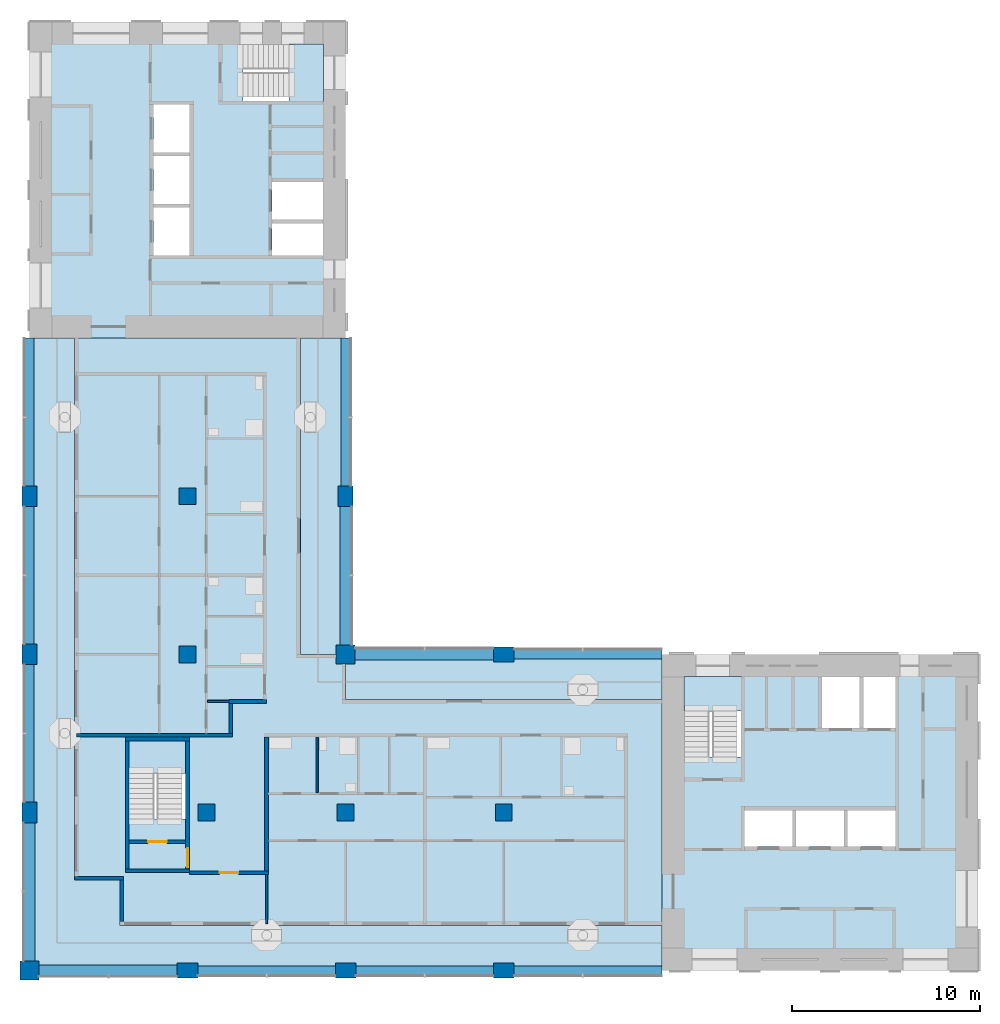
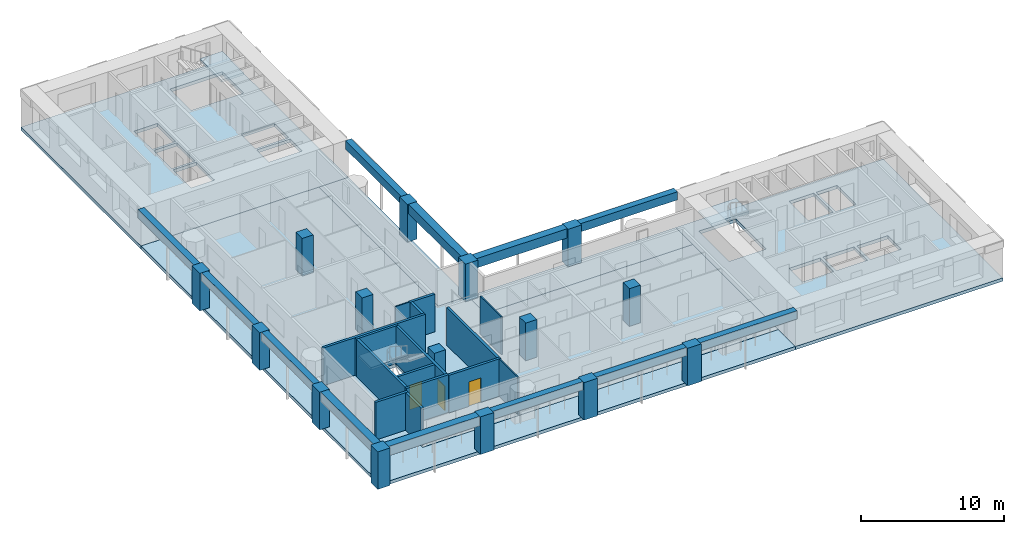
# One storey, part 1 of 12: 15 columns, 15 walls, 12 beams, 10 slabs, 3 doors, 3 openings, 3 elements without a shape of their own.
"""IFC4 building model written with IfcOpenShell, lengths in metres."""

from ifc_helpers import new_model, si_unit, direction, frame, frame_2d, origin, origin_2d, place, context, subcontext, project, spatial, polyline, rectangle, outline, extrude, material, layer, layer_set, material_profile, profile_set, type_object, element, fill, aggregate, save


model = new_model("IFC4")

# Units and contexts
model_context = context("Model", 3, precision=1e-05, world=origin(), true_north=direction((0.0, 1.0)))
body_context = subcontext(model_context, "Body", "Model", "MODEL_VIEW")
ifc_project = project(units=[si_unit("LENGTHUNIT", "METRE"), si_unit("AREAUNIT", "SQUARE_METRE"), si_unit("VOLUMEUNIT", "CUBIC_METRE"), si_unit("PLANEANGLEUNIT", "RADIAN"), si_unit("MASSUNIT", "GRAM", prefix="KILO")], contexts=[model_context])

# Site, building, storey
site_placement = place(None, origin())
site = spatial("IfcSite", under=ifc_project, at=site_placement, CompositionType="ELEMENT")
building_placement = place(site_placement, origin())
building = spatial("IfcBuilding", under=site, at=building_placement, Name="Vermilion Gate Residences", CompositionType="ELEMENT")
storey_placement = place(building_placement, frame((0.0, 0.0, 217.699951171875)))
storey = spatial("IfcBuildingStorey", under=building, at=storey_placement, Name="L56", CompositionType="ELEMENT", Elevation=217.699951171875)

# Columns
ifc_material_1 = material(Name="Concrete C50", Category="concrete")
ifc_material_profile_1 = material_profile(ifc_material_1, rectangle(XDim=1.0, YDim=1.0, at=origin_2d()), Name="RC-1000x1000")
ifc_profile_set_1 = profile_set([ifc_material_profile_1], Name="Concrete C50")
column_type_1 = type_object("IfcColumnType", Name="RC COLUMN 1000 X 1000 C50", PredefinedType="COLUMN", material=ifc_profile_set_1)
for number, where, z_axis, x_axis, name in (
    (1, (8.39990234375, 8.39990234375, 0.0), (0.0, 0.0, 1.0), (1.0, 0.0, 0.0), "Column 2-B L56"),
    (2, (25.199951171875, 25.199951171875, 0.0), (0.0, 0.0, 1.0), (1.0, 0.0, 0.0), "Column 4-D L56"),
):
    element("IfcColumn", number, at=place(storey_placement, frame(where, z_axis=z_axis, x_axis=x_axis)), inside=storey, type_object=column_type_1, Name=name, PredefinedType="COLUMN", context=body_context, shape_type="SweptSolid", body=[
        extrude(rectangle(XDim=1.0, YDim=1.0, at=origin_2d()), origin(), (0.0, 0.0, 1.0), 3.219970703125),
    ])
ifc_material_2 = material(Name="Concrete C50", Category="concrete")
ifc_material_profile_2 = material_profile(ifc_material_2, rectangle(XDim=1.10009765625, YDim=0.800048828125, at=origin_2d()), Name="RC-1100x800")
ifc_profile_set_2 = profile_set([ifc_material_profile_2], Name="Concrete C50")
column_type_2 = type_object("IfcColumnType", Name="RC COLUMN 1100 X 800 C50", PredefinedType="COLUMN", material=ifc_profile_set_2)
for number, where, z_axis, x_axis, name in (
    (3, (8.39990234375, 16.800048828125, 0.0), (0.0, 0.0, 1.0), (0.0, 1.0, 0.0), "Column 2-C L56"),
    (4, (8.39990234375, 25.199951171875, 0.0), (0.0, 0.0, 1.0), (0.0, 1.0, 0.0), "Column 2-D L56"),
    (5, (8.39990234375, 33.60009765625, 0.0), (0.0, 0.0, 1.0), (0.0, 1.0, 0.0), "Column 2-E L56"),
    (6, (16.800048828125, 8.39990234375, 0.0), (0.0, 0.0, 1.0), (1.0, 0.0, 0.0), "Column 3-B L56"),
    (7, (25.199951171875, 8.39990234375, 0.0), (0.0, 0.0, 1.0), (1.0, 0.0, 0.0), "Column 4-B L56"),
    (8, (25.199951171875, 33.60009765625, 0.0), (0.0, 0.0, 1.0), (0.0, 1.0, 0.0), "Column 4-E L56"),
    (9, (33.60009765625, 8.39990234375, 0.0), (0.0, 0.0, 1.0), (1.0, 0.0, 0.0), "Column 5-B L56"),
    (10, (33.60009765625, 25.199951171875, 0.0), (0.0, 0.0, 1.0), (1.0, 0.0, 0.0), "Column 5-D L56"),
):
    element("IfcColumn", number, at=place(storey_placement, frame(where, z_axis=z_axis, x_axis=x_axis)), inside=storey, type_object=column_type_2, Name=name, PredefinedType="COLUMN", context=body_context, shape_type="SweptSolid", body=[
        extrude(rectangle(XDim=1.10009765625, YDim=0.800048828125, at=origin_2d()), origin(), (0.0, 0.0, 1.0), 3.219970703125),
    ])
ifc_material_3 = material(Name="Concrete C50", Category="concrete")
ifc_material_profile_3 = material_profile(ifc_material_3, rectangle(XDim=0.89990234375, YDim=0.89990234375, at=origin_2d()), Name="RC-900x900")
ifc_profile_set_3 = profile_set([ifc_material_profile_3], Name="Concrete C50")
column_type_3 = type_object("IfcColumnType", Name="RC COLUMN 900 X 900 C50", PredefinedType="COLUMN", material=ifc_profile_set_3)
for number, where, z_axis, x_axis, name in (
    (11, (17.800048828125, 16.800048828125, 0.0), (0.0, 0.0, 1.0), (1.0, 0.0, 0.0), "Column 3-C L56"),
    (12, (16.800048828125, 25.199951171875, 0.0), (0.0, 0.0, 1.0), (1.0, 0.0, 0.0), "Column 3-D L56"),
    (13, (16.800048828125, 33.60009765625, 0.0), (0.0, 0.0, 1.0), (1.0, 0.0, 0.0), "Column 3-E L56"),
    (14, (25.199951171875, 16.800048828125, 0.0), (0.0, 0.0, 1.0), (1.0, 0.0, 0.0), "Column 4-C L56"),
    (15, (33.60009765625, 16.800048828125, 0.0), (0.0, 0.0, 1.0), (1.0, 0.0, 0.0), "Column 5-C L56"),
):
    element("IfcColumn", number, at=place(storey_placement, frame(where, z_axis=z_axis, x_axis=x_axis)), inside=storey, type_object=column_type_3, Name=name, PredefinedType="COLUMN", context=body_context, shape_type="SweptSolid", body=[
        extrude(rectangle(XDim=0.89990234375, YDim=0.89990234375, at=origin_2d()), origin(), (0.0, 0.0, 1.0), 3.219970703125),
    ])

# Beams
ifc_material_4 = material(Name="Concrete C60 red-oxide pigmented", Category="concrete")
ifc_material_profile_4 = material_profile(ifc_material_4, rectangle(XDim=0.60009765625, YDim=0.800048828125, at=origin_2d()), Name="RC-600x800")
ifc_profile_set_4 = profile_set([ifc_material_profile_4], Name="Concrete C60 red-oxide pigmented")
beam_type_1 = type_object("IfcBeamType", Name="RC CORNER EDGE BEAM 600 X 800 C60", PredefinedType="BEAM", material=ifc_profile_set_4)
for number, where, z_axis, x_axis, name in (
    (16, (8.89990234375, 8.39990234375, 2.820068359375), (1.0, 0.0, 0.0), (0.0, 1.0, 0.0), "Corner edge beam L56 1"),
    (17, (8.39990234375, 8.89990234375, 2.820068359375), (0.0, 1.0, 0.0), (-1.0, 0.0, 0.0), "Corner edge beam L56 2"),
    (18, (25.199951171875, 25.699951171875, 2.820068359375), (0.0, 1.0, 0.0), (-1.0, 0.0, 0.0), "Corner edge beam L56 7"),
    (19, (25.699951171875, 25.199951171875, 2.820068359375), (1.0, 0.0, 0.0), (0.0, 1.0, 0.0), "Corner edge beam L56 10"),
):
    element("IfcBeam", number, at=place(storey_placement, frame(where, z_axis=z_axis, x_axis=x_axis)), inside=storey, type_object=beam_type_1, Name=name, PredefinedType="BEAM", context=body_context, shape_type="SweptSolid", body=[
        extrude(rectangle(XDim=0.60009765625, YDim=0.800048828125, at=origin_2d()), origin(), (0.0, 0.0, 1.0), 7.35009765625),
    ])
ifc_material_5 = material(Name="Concrete C60 red-oxide pigmented", Category="concrete")
ifc_material_profile_5 = material_profile(ifc_material_5, rectangle(XDim=0.5, YDim=0.699951171875, at=origin_2d()), Name="RC-500x700")
ifc_profile_set_5 = profile_set([ifc_material_profile_5], Name="Concrete C60 red-oxide pigmented")
beam_type_2 = type_object("IfcBeamType", Name="RC EDGE BEAM 500 X 700 C60", PredefinedType="BEAM", material=ifc_profile_set_5)
beam_1_placement = place(storey_placement, frame((8.39990234375, 17.35009765625, 2.8701171875), z_axis=(0.0, 1.0, 0.0), x_axis=(-1.0, 0.0, 0.0)))
element("IfcBeam", 20, at=beam_1_placement, inside=storey, type_object=beam_type_2, Name="Edge beam L56 3", PredefinedType="BEAM", context=body_context, shape_type="SweptSolid", body=[
    extrude(rectangle(XDim=0.5, YDim=0.699951171875, at=origin_2d()), origin(), (0.0, 0.0, 1.0), 7.2998046875),
])
beam_2_placement = place(storey_placement, frame((8.39990234375, 25.75, 2.8701171875), z_axis=(0.0, 1.0, 0.0), x_axis=(-1.0, 0.0, 0.0)))
element("IfcBeam", 21, at=beam_2_placement, inside=storey, type_object=beam_type_2, Name="Edge beam L56 4", PredefinedType="BEAM", context=body_context, shape_type="SweptSolid", body=[
    extrude(rectangle(XDim=0.5, YDim=0.699951171875, at=origin_2d()), origin(), (0.0, 0.0, 1.0), 7.300048828125),
])
beam_3_placement = place(storey_placement, frame((8.39990234375, 34.14990234375, 2.8701171875), z_axis=(0.0, 1.0, 0.0), x_axis=(-1.0, 0.0, 0.0)))
element("IfcBeam", 22, at=beam_3_placement, inside=storey, type_object=beam_type_2, Name="Edge beam L56 5", PredefinedType="BEAM", context=body_context, shape_type="SweptSolid", body=[
    extrude(rectangle(XDim=0.5, YDim=0.699951171875, at=origin_2d()), origin(), (0.0, 0.0, 1.0), 7.85009765625),
])
beam_4_placement = place(storey_placement, frame((17.35009765625, 8.39990234375, 2.8701171875), z_axis=(1.0, 0.0, 0.0), x_axis=(0.0, 1.0, 0.0)))
element("IfcBeam", 23, at=beam_4_placement, inside=storey, type_object=beam_type_2, Name="Edge beam L56 6", PredefinedType="BEAM", context=body_context, shape_type="SweptSolid", body=[
    extrude(rectangle(XDim=0.5, YDim=0.699951171875, at=origin_2d()), origin(), (0.0, 0.0, 1.0), 7.2998046875),
])
beam_5_placement = place(storey_placement, frame((25.199951171875, 34.14990234375, 2.8701171875), z_axis=(0.0, 1.0, 0.0), x_axis=(-1.0, 0.0, 0.0)))
element("IfcBeam", 24, at=beam_5_placement, inside=storey, type_object=beam_type_2, Name="Edge beam L56 8", PredefinedType="BEAM", context=body_context, shape_type="SweptSolid", body=[
    extrude(rectangle(XDim=0.5, YDim=0.699951171875, at=origin_2d()), origin(), (0.0, 0.0, 1.0), 7.85009765625),
])
beam_6_placement = place(storey_placement, frame((25.75, 8.39990234375, 2.8701171875), z_axis=(1.0, 0.0, 0.0), x_axis=(0.0, 1.0, 0.0)))
element("IfcBeam", 25, at=beam_6_placement, inside=storey, type_object=beam_type_2, Name="Edge beam L56 9", PredefinedType="BEAM", context=body_context, shape_type="SweptSolid", body=[
    extrude(rectangle(XDim=0.5, YDim=0.699951171875, at=origin_2d()), origin(), (0.0, 0.0, 1.0), 7.300048828125),
])
for number, where, z_axis, x_axis, name in (
    (26, (34.14990234375, 8.39990234375, 2.8701171875), (1.0, 0.0, 0.0), (0.0, 1.0, 0.0), "Edge beam L56 11"),
    (27, (34.14990234375, 25.199951171875, 2.8701171875), (1.0, 0.0, 0.0), (0.0, 1.0, 0.0), "Edge beam L56 12"),
):
    element("IfcBeam", number, at=place(storey_placement, frame(where, z_axis=z_axis, x_axis=x_axis)), inside=storey, type_object=beam_type_2, Name=name, PredefinedType="BEAM", context=body_context, shape_type="SweptSolid", body=[
        extrude(rectangle(XDim=0.5, YDim=0.699951171875, at=origin_2d()), origin(), (0.0, 0.0, 1.0), 7.85009765625),
    ])

# Slabs
ifc_material_6 = material(Name="Concrete C50", Category="concrete")
ifc_layer_1 = layer(ifc_material_6, 0.280029296875)
ifc_layer_set_1 = layer_set([ifc_layer_1], Name="RC CORE FLOOR SLAB 280 C50")
slab_type_1 = type_object("IfcSlabType", Name="RC CORE FLOOR SLAB 280 C50", PredefinedType="FLOOR", material=ifc_layer_set_1)
slab_1_placement = place(storey_placement, frame((0.0, 0.0, -0.280029296875)))
element("IfcSlab", 28, at=slab_1_placement, inside=storey, type_object=slab_type_1, Name="Core floor slab A56", PredefinedType="FLOOR", context=body_context, shape_type="SweptSolid", body=[
    extrude(outline(polyline([(42.0, 8.39990234375), (58.800048828125, 8.39990234375), (58.800048828125, 25.199951171875), (42.0, 25.199951171875), (42.0, 8.39990234375)]), holes=[polyline([(46.39990234375, 15.0), (46.39990234375, 16.89990234375), (48.933349609375, 16.89990234375), (48.933349609375, 15.0), (46.39990234375, 15.0)]), polyline([(49.13330078125, 16.89990234375), (51.666748046875, 16.89990234375), (51.666748046875, 15.0), (49.13330078125, 15.0), (49.13330078125, 16.89990234375)]), polyline([(51.86669921875, 16.89990234375), (54.39990234375, 16.89990234375), (54.39990234375, 15.0), (51.86669921875, 15.0), (51.86669921875, 16.89990234375)]), polyline([(43.199951171875, 19.75), (43.199951171875, 24.0), (46.199951171875, 24.0), (46.199951171875, 19.75), (43.199951171875, 19.75)]), polyline([(50.5, 24.0), (52.5, 24.0), (52.5, 21.300048828125), (50.5, 21.300048828125), (50.5, 24.0)]), polyline([(52.699951171875, 24.0), (54.39990234375, 24.0), (54.39990234375, 21.300048828125), (52.699951171875, 21.300048828125), (52.699951171875, 24.0)])]), origin(), (0.0, 0.0, 1.0), 0.280029296875),
])
slab_2_placement = place(storey_placement, frame((0.0, 0.0, -0.280029296875)))
element("IfcSlab", 29, at=slab_2_placement, inside=storey, type_object=slab_type_1, Name="Core floor slab B56", PredefinedType="FLOOR", context=body_context, shape_type="SweptSolid", body=[
    extrude(outline(polyline([(8.39990234375, 42.0), (25.199951171875, 42.0), (25.199951171875, 58.800048828125), (8.39990234375, 58.800048828125), (8.39990234375, 42.0)]), holes=[polyline([(21.300048828125, 46.39990234375), (21.300048828125, 48.10009765625), (24.0, 48.10009765625), (24.0, 46.39990234375), (21.300048828125, 46.39990234375)]), polyline([(15.0, 48.933349609375), (16.89990234375, 48.933349609375), (16.89990234375, 46.39990234375), (15.0, 46.39990234375), (15.0, 48.933349609375)]), polyline([(21.300048828125, 50.300048828125), (24.0, 50.300048828125), (24.0, 48.300048828125), (21.300048828125, 48.300048828125), (21.300048828125, 50.300048828125)]), polyline([(15.0, 49.13330078125), (15.0, 51.666748046875), (16.89990234375, 51.666748046875), (16.89990234375, 49.13330078125), (15.0, 49.13330078125)]), polyline([(15.0, 54.39990234375), (16.89990234375, 54.39990234375), (16.89990234375, 51.86669921875), (15.0, 51.86669921875), (15.0, 54.39990234375)]), polyline([(19.75, 57.60009765625), (24.0, 57.60009765625), (24.0, 54.60009765625), (19.75, 54.60009765625), (19.75, 57.60009765625)])]), origin(), (0.0, 0.0, 1.0), 0.280029296875),
])
slab_3_placement = place(storey_placement, frame((0.0, 0.0, -0.280029296875)))
element("IfcSlab", 30, at=slab_3_placement, inside=storey, type_object=slab_type_1, Name="Apex stair floor slab 56", PredefinedType="FLOOR", context=body_context, shape_type="SweptSolid", body=[
    extrude(outline(polyline([(13.5, 13.60009765625), (16.89990234375, 13.60009765625), (16.89990234375, 20.800048828125), (13.5, 20.800048828125), (13.5, 13.60009765625)]), holes=[polyline([(16.699951171875, 20.60009765625), (16.699951171875, 16.449951171875), (13.699951171875, 16.449951171875), (13.699951171875, 20.60009765625), (16.699951171875, 20.60009765625)])]), origin(), (0.0, 0.0, 1.0), 0.280029296875),
])
ifc_material_7 = material(Name="Concrete C50", Category="concrete")
ifc_layer_2 = layer(ifc_material_7, 0.280029296875)
ifc_layer_set_2 = layer_set([ifc_layer_2], Name="RC FLAT PLATE 280 C50")
slab_type_2 = type_object("IfcSlabType", Name="RC FLAT PLATE 280 C50", PredefinedType="FLOOR", material=ifc_layer_set_2)
slab_4_placement = place(storey_placement, frame((0.0, 0.0, -0.280029296875)))
element("IfcSlab", 31, at=slab_4_placement, inside=storey, type_object=slab_type_2, Name="Floor slab L56", PredefinedType="FLOOR", context=body_context, shape_type="SweptSolid", body=[
    extrude(outline(polyline([(22.800048828125, 25.199951171875), (22.800048828125, 42.0), (10.800048828125, 42.0), (10.800048828125, 13.199951171875), (13.199951171875, 13.199951171875), (13.199951171875, 10.800048828125), (42.0, 10.800048828125), (42.0, 22.800048828125), (25.199951171875, 22.800048828125), (25.199951171875, 25.199951171875), (22.800048828125, 25.199951171875)]), holes=[polyline([(13.5, 13.60009765625), (13.5, 20.800048828125), (16.89990234375, 20.800048828125), (16.89990234375, 13.60009765625), (13.5, 13.60009765625)])]), origin(), (0.0, 0.0, 1.0), 0.280029296875),
])
ifc_material_8 = material(Name="Concrete C50 red-oxide pigmented", Category="concrete")
ifc_layer_3 = layer(ifc_material_8, 0.280029296875)
ifc_layer_set_3 = layer_set([ifc_layer_3], Name="RC LOGGIA SLAB 280 C50")
slab_type_3 = type_object("IfcSlabType", Name="RC LOGGIA SLAB 280 C50", PredefinedType="FLOOR", material=ifc_layer_set_3)
slab_5_placement = place(storey_placement, frame((0.0, 0.0, -0.280029296875)))
element("IfcSlab", 32, at=slab_5_placement, inside=storey, type_object=slab_type_3, Name="Loggia slab L56", PredefinedType="FLOOR", context=body_context, shape_type="SweptSolid", body=[
    extrude(outline(polyline([(8.39990234375, 8.39990234375), (42.0, 8.39990234375), (42.0, 10.800048828125), (13.199951171875, 10.800048828125), (13.199951171875, 13.199951171875), (10.800048828125, 13.199951171875), (10.800048828125, 42.0), (8.39990234375, 42.0), (8.39990234375, 8.39990234375)])), origin(), (0.0, 0.0, 1.0), 0.280029296875),
])
slab_6_placement = place(storey_placement, frame((0.0, 0.0, -0.280029296875)))
element("IfcSlab", 33, at=slab_6_placement, inside=storey, type_object=slab_type_3, Name="Loggia slab L56", PredefinedType="FLOOR", context=body_context, shape_type="SweptSolid", body=[
    extrude(outline(polyline([(25.199951171875, 22.800048828125), (42.0, 22.800048828125), (42.0, 25.199951171875), (25.199951171875, 25.199951171875), (25.199951171875, 22.800048828125)])), origin(), (0.0, 0.0, 1.0), 0.280029296875),
])
slab_7_placement = place(storey_placement, frame((0.0, 0.0, -0.280029296875)))
element("IfcSlab", 34, at=slab_7_placement, inside=storey, type_object=slab_type_3, Name="Loggia slab L56", PredefinedType="FLOOR", context=body_context, shape_type="SweptSolid", body=[
    extrude(outline(polyline([(25.199951171875, 42.0), (22.800048828125, 42.0), (22.800048828125, 25.199951171875), (25.199951171875, 25.199951171875), (25.199951171875, 42.0)])), origin(), (0.0, 0.0, 1.0), 0.280029296875),
])

# Stair, slab
ifc_material_9 = material(Name="Concrete C50", Category="concrete")
stair_type = type_object("IfcStairType", Name="SPECIAL ESCAPE STAIR 1300", PredefinedType="HALF_TURN_STAIR", material=ifc_material_9)
stair_1_placement = place(storey_placement, origin())
stair_1 = element("IfcStair", 35, at=stair_1_placement, inside=storey, type_object=stair_type, Name="Special escape stair STA1-56", PredefinedType="HALF_TURN_STAIR")
ifc_material_10 = material(Name="Concrete C50", Category="concrete")
ifc_layer_4 = layer(ifc_material_10, 0.199951171875)
ifc_layer_set_4 = layer_set([ifc_layer_4], Name="STAIR LANDING 200 C50")
slab_type_4 = type_object("IfcSlabType", Name="STAIR LANDING 200 C50", PredefinedType="LANDING", material=ifc_layer_set_4)
slab_8_placement = place(storey_placement, frame((0.0, 0.0, 1.550048828125)))
slab_8 = element("IfcSlab", 36, at=slab_8_placement, type_object=slab_type_4, Name="STA1-56 landing 1", PredefinedType="LANDING", context=body_context, shape_type="SweptSolid", body=[
    extrude(outline(polyline([(46.219970703125, 22.179931640625), (46.219970703125, 24.02001953125), (43.179931640625, 24.02001953125), (43.179931640625, 22.179931640625), (46.219970703125, 22.179931640625)])), origin(), (0.0, 0.0, 1.0), 0.199951171875),
])
aggregate(stair_1, [slab_8])

stair_2_placement = place(storey_placement, origin())
stair_2 = element("IfcStair", 37, at=stair_2_placement, inside=storey, type_object=stair_type, Name="Special escape stair STB1-56", PredefinedType="HALF_TURN_STAIR")
slab_9_placement = place(storey_placement, frame((0.0, 0.0, 1.550048828125)))
slab_9 = element("IfcSlab", 38, at=slab_9_placement, type_object=slab_type_4, Name="STB1-56 landing 1", PredefinedType="LANDING", context=body_context, shape_type="SweptSolid", body=[
    extrude(outline(polyline([(24.02001953125, 54.580078125), (24.02001953125, 57.6201171875), (22.179931640625, 57.6201171875), (22.179931640625, 54.580078125), (24.02001953125, 54.580078125)])), origin(), (0.0, 0.0, 1.0), 0.199951171875),
])
aggregate(stair_2, [slab_9])

stair_3_placement = place(storey_placement, origin())
stair_3 = element("IfcStair", 39, at=stair_3_placement, inside=storey, type_object=stair_type, Name="Special escape stair STC1-56", PredefinedType="HALF_TURN_STAIR")
slab_10_placement = place(storey_placement, frame((0.0, 0.0, 1.550048828125)))
slab_10 = element("IfcSlab", 40, at=slab_10_placement, type_object=slab_type_4, Name="STC1-56 landing 1", PredefinedType="LANDING", context=body_context, shape_type="SweptSolid", body=[
    extrude(outline(polyline([(16.719970703125, 18.8798828125), (16.719970703125, 20.6201171875), (13.679931640625, 20.6201171875), (13.679931640625, 18.8798828125), (16.719970703125, 18.8798828125)])), origin(), (0.0, 0.0, 1.0), 0.199951171875),
])
aggregate(stair_3, [slab_10])

# Walls
ifc_material_11 = material(Name="Insulated steel stud wall with terracotta rainscreen", Category="masonry")
ifc_layer_5 = layer(ifc_material_11, 0.199951171875)
ifc_layer_set_5 = layer_set([ifc_layer_5], Name="EXTERNAL WALL 200 TERRACOTTA RAINSCREEN")
wall_type_1 = type_object("IfcWallType", Name="EXTERNAL WALL 200 TERRACOTTA RAINSCREEN", PredefinedType="SOLIDWALL", material=ifc_layer_set_5)
wall_1_placement = place(storey_placement, frame((10.800048828125, 13.300048828125, 0.0), z_axis=(0.0, 0.0, 1.0), x_axis=(1.0, 0.0, 0.0)))
element("IfcWall", 41, at=wall_1_placement, inside=storey, type_object=wall_type_1, Name="External wall", PredefinedType="SOLIDWALL", context=body_context, shape_type="SweptSolid", body=[
    extrude(rectangle(XDim=2.599853515625, YDim=0.199951171875, at=frame_2d((1.2998046875, 0.0))), origin(), (0.0, 0.0, 1.0), 3.219970703125),
])
wall_2_placement = place(storey_placement, frame((13.300048828125, 13.199951171875, 0.0), z_axis=(0.0, 0.0, 1.0), x_axis=(0.0, -1.0, 0.0)))
element("IfcWall", 42, at=wall_2_placement, inside=storey, type_object=wall_type_1, Name="External wall", PredefinedType="SOLIDWALL", context=body_context, shape_type="SweptSolid", body=[
    extrude(rectangle(XDim=2.199951171875, YDim=0.199951171875, at=frame_2d((1.10009765625, 0.0))), origin(), (0.0, 0.0, 1.0), 3.219970703125),
])
ifc_material_12 = material(Name="Plasterboard on steel studs", Category="steel")
ifc_layer_6 = layer(ifc_material_12, 0.10009765625)
ifc_layer_set_6 = layer_set([ifc_layer_6], Name="PARTITION 100")
wall_type_2 = type_object("IfcWallType", Name="PARTITION 100", PredefinedType="PARTITIONING", material=ifc_layer_set_6)
wall_3_placement = place(storey_placement, frame((17.85009765625, 22.699951171875, 0.0), z_axis=(0.0, 0.0, 1.0), x_axis=(1.0, 0.0, 0.0)))
element("IfcWall", 43, at=wall_3_placement, inside=storey, type_object=wall_type_2, Name="Partition", PredefinedType="PARTITIONING", context=body_context, shape_type="SweptSolid", body=[
    extrude(rectangle(XDim=1.14990234375, YDim=0.10009765625, at=frame_2d((0.574951171875, 0.0))), origin(), (0.0, 0.0, 1.0), 3.219970703125),
])
wall_4_placement = place(storey_placement, frame((21.0, 10.89990234375, 0.0), z_axis=(0.0, 0.0, 1.0), x_axis=(0.0, 1.0, 0.0)))
element("IfcWall", 44, at=wall_4_placement, inside=storey, type_object=wall_type_2, Name="Partition", PredefinedType="PARTITIONING", context=body_context, shape_type="SweptSolid", body=[
    extrude(rectangle(XDim=2.60009765625, YDim=0.10009765625, at=frame_2d((1.300048828125, 0.0))), origin(), (0.0, 0.0, 1.0), 3.219970703125),
])
wall_5_placement = place(storey_placement, frame((23.68408203125, 17.85009765625, 0.0), z_axis=(0.0, 0.0, 1.0), x_axis=(0.0, 1.0, 0.0)))
element("IfcWall", 45, at=wall_5_placement, inside=storey, type_object=wall_type_2, Name="Partition", PredefinedType="PARTITIONING", context=body_context, shape_type="SweptSolid", body=[
    extrude(rectangle(XDim=2.949951171875, YDim=0.10009765625, at=frame_2d((1.47509765625, 0.0))), origin(), (0.0, 0.0, 1.0), 3.219970703125),
])

# Wall, opening, door
ifc_material_13 = material(Name="Fire-rated plasterboard on steel studs", Category="steel")
ifc_layer_7 = layer(ifc_material_13, 0.199951171875)
ifc_layer_set_7 = layer_set([ifc_layer_7], Name="PARTY WALL 200 EI 120")
wall_type_3 = type_object("IfcWallType", Name="PARTY WALL 200 EI 120", PredefinedType="PARTITIONING", material=ifc_layer_set_7)
wall_6_placement = place(storey_placement, frame((16.89990234375, 13.60009765625, 0.0), z_axis=(0.0, 0.0, 1.0), x_axis=(1.0, 0.0, 0.0)))
wall_6 = element("IfcWall", 46, at=wall_6_placement, inside=storey, type_object=wall_type_3, Name="Party and corridor wall", PredefinedType="PARTITIONING", context=body_context, shape_type="SweptSolid", body=[
    extrude(rectangle(XDim=4.2001953125, YDim=0.199951171875, at=frame_2d((2.10009765625, 0.0))), origin(), (0.0, 0.0, 1.0), 3.219970703125),
])
opening_1_placement = place(wall_6_placement, frame((1.60009765625, 0.0, 0.0)))
opening_1 = element("IfcOpeningElement", 47, at=opening_1_placement, cuts=wall_6, Name="Opening DA55001", PredefinedType="OPENING", context=body_context, shape_type="SweptSolid", body=[
    extrude(rectangle(XDim=1.0, YDim=2.10009765625, at=frame_2d((0.5, 1.050048828125))), frame((0.0, 0.10986328125, 0.0), z_axis=(0.0, -1.0, 0.0), x_axis=(1.0, 0.0, 0.0)), (0.0, 0.0, 1.0), 0.219970703125),
])
ifc_material_14 = material(Name="Steel", Category="steel")
door_type_1 = type_object("IfcDoorType", Name="ENTRANCE DOOR 1000 X 2100 FD30", OperationType="SINGLE_SWING_LEFT", PredefinedType="DOOR", material=ifc_material_14)
door_1_placement = place(opening_1_placement, frame((1.0, 0.0, 0.0), z_axis=(0.0, 0.0, 1.0), x_axis=(-1.0, 0.0, 0.0)))
door_1 = element("IfcDoor", 48, at=door_1_placement, inside=storey, type_object=door_type_1, Name="Entrance door", OperationType="SINGLE_SWING_LEFT", OverallHeight=2.10009765625, OverallWidth=1.0, PredefinedType="DOOR", context=body_context, shape_type="SweptSolid", body=[
    extrude(rectangle(XDim=1.0, YDim=2.10009765625, at=frame_2d((0.5, 1.050048828125))), frame((0.0, 0.02490234375, 0.0), z_axis=(0.0, -1.0, 0.0), x_axis=(1.0, 0.0, 0.0)), (0.0, 0.0, 1.0), 0.050048828125),
])
fill(opening_1, door_1)

# Walls
wall_7_placement = place(storey_placement, frame((10.89990234375, 20.89990234375, 0.0), z_axis=(0.0, 0.0, 1.0), x_axis=(1.0, 0.0, 0.0)))
element("IfcWall", 49, at=wall_7_placement, inside=storey, type_object=wall_type_3, Name="Party and corridor wall", PredefinedType="PARTITIONING", context=body_context, shape_type="SweptSolid", body=[
    extrude(rectangle(XDim=8.300048828125, YDim=0.199951171875, at=frame_2d((4.14990234375, 0.0))), origin(), (0.0, 0.0, 1.0), 3.219970703125),
])
wall_8_placement = place(storey_placement, frame((19.0, 22.699951171875, 0.0), z_axis=(0.0, 0.0, 1.0), x_axis=(1.0, 0.0, 0.0)))
element("IfcWall", 50, at=wall_8_placement, inside=storey, type_object=wall_type_3, Name="Party and corridor wall", PredefinedType="PARTITIONING", context=body_context, shape_type="SweptSolid", body=[
    extrude(rectangle(XDim=2.0, YDim=0.199951171875, at=frame_2d((1.0, 0.0))), origin(), (0.0, 0.0, 1.0), 3.219970703125),
])
wall_9_placement = place(storey_placement, frame((19.10009765625, 21.0, 0.0), z_axis=(0.0, 0.0, 1.0), x_axis=(0.0, 1.0, 0.0)))
element("IfcWall", 51, at=wall_9_placement, inside=storey, type_object=wall_type_3, Name="Party and corridor wall", PredefinedType="PARTITIONING", context=body_context, shape_type="SweptSolid", body=[
    extrude(rectangle(XDim=1.60009765625, YDim=0.199951171875, at=frame_2d((0.800048828125, 0.0))), origin(), (0.0, 0.0, 1.0), 3.219970703125),
])
wall_10_placement = place(storey_placement, frame((21.0, 13.699951171875, 0.0), z_axis=(0.0, 0.0, 1.0), x_axis=(0.0, 1.0, 0.0)))
element("IfcWall", 52, at=wall_10_placement, inside=storey, type_object=wall_type_3, Name="Party and corridor wall", PredefinedType="PARTITIONING", context=body_context, shape_type="SweptSolid", body=[
    extrude(rectangle(XDim=7.10009765625, YDim=0.199951171875, at=frame_2d((3.550048828125, 0.0))), origin(), (0.0, 0.0, 1.0), 3.219970703125),
])
ifc_material_15 = material(Name="Concrete C60", Category="concrete")
ifc_layer_8 = layer(ifc_material_15, 0.199951171875)
ifc_layer_set_8 = layer_set([ifc_layer_8], Name="RC CORE INTERNAL WALL 200 C60")
wall_type_4 = type_object("IfcWallType", Name="RC CORE INTERNAL WALL 200 C60", PredefinedType="SHEAR", material=ifc_layer_set_8)
wall_11_placement = place(storey_placement, frame((13.60009765625, 13.800048828125, 0.0), z_axis=(0.0, 0.0, 1.0), x_axis=(0.0, 1.0, 0.0)))
element("IfcWall", 53, at=wall_11_placement, inside=storey, type_object=wall_type_4, Name="Core internal wall C56-W", PredefinedType="SHEAR", context=body_context, shape_type="SweptSolid", body=[
    extrude(rectangle(XDim=6.800048828125, YDim=0.199951171875, at=frame_2d((3.39990234375, 0.0))), origin(), (0.0, 0.0, 1.0), 3.219970703125),
])

# Wall, opening, door
wall_12_placement = place(storey_placement, frame((16.800048828125, 13.800048828125, 0.0), z_axis=(0.0, 0.0, 1.0), x_axis=(0.0, 1.0, 0.0)))
wall_12 = element("IfcWall", 54, at=wall_12_placement, inside=storey, type_object=wall_type_4, Name="Core internal wall C56-E", PredefinedType="SHEAR", context=body_context, shape_type="SweptSolid", body=[
    extrude(rectangle(XDim=6.800048828125, YDim=0.199951171875, at=frame_2d((3.39990234375, 0.0))), origin(), (0.0, 0.0, 1.0), 3.219970703125),
])
opening_2_placement = place(wall_12_placement, frame((0.10009765625, 0.0, 0.0)))
opening_2 = element("IfcOpeningElement", 55, at=opening_2_placement, cuts=wall_12, Name="Opening DK56201", PredefinedType="OPENING", context=body_context, shape_type="SweptSolid", body=[
    extrude(rectangle(XDim=1.0, YDim=2.10009765625, at=frame_2d((0.5, 1.050048828125))), frame((0.0, 0.10986328125, 0.0), z_axis=(0.0, -1.0, 0.0), x_axis=(1.0, 0.0, 0.0)), (0.0, 0.0, 1.0), 0.219970703125),
])
ifc_material_16 = material(Name="Steel", Category="steel")
door_type_2 = type_object("IfcDoorType", Name="FIRE DOOR FD60 1000 X 2100", OperationType="SINGLE_SWING_LEFT", PredefinedType="DOOR", material=ifc_material_16)
door_2_placement = place(opening_2_placement, frame((1.0, 0.0, 0.0), z_axis=(0.0, 0.0, 1.0), x_axis=(-1.0, 0.0, 0.0)))
door_2 = element("IfcDoor", 56, at=door_2_placement, inside=storey, type_object=door_type_2, Name="Stair vestibule door C56", OperationType="SINGLE_SWING_RIGHT", OverallHeight=2.10009765625, OverallWidth=1.0, PredefinedType="DOOR", context=body_context, shape_type="SweptSolid", body=[
    extrude(rectangle(XDim=1.0, YDim=2.10009765625, at=frame_2d((0.5, 1.050048828125))), frame((0.0, 0.02490234375, 0.0), z_axis=(0.0, -1.0, 0.0), x_axis=(1.0, 0.0, 0.0)), (0.0, 0.0, 1.0), 0.050048828125),
])
fill(opening_2, door_2)

# Walls
for number, where, z_axis, x_axis, name in (
    (57, (13.5, 13.699951171875, 0.0), (0.0, 0.0, 1.0), (1.0, 0.0, 0.0), "Core internal wall C56-S"),
    (58, (13.5, 20.699951171875, 0.0), (0.0, 0.0, 1.0), (1.0, 0.0, 0.0), "Core internal wall C56-N"),
):
    element("IfcWall", number, at=place(storey_placement, frame(where, z_axis=z_axis, x_axis=x_axis)), inside=storey, type_object=wall_type_4, Name=name, PredefinedType="SHEAR", context=body_context, shape_type="SweptSolid", body=[
        extrude(rectangle(XDim=3.39990234375, YDim=0.199951171875, at=frame_2d((1.699951171875, 0.0))), origin(), (0.0, 0.0, 1.0), 3.219970703125),
    ])

# Wall, opening, door
wall_13_placement = place(storey_placement, frame((13.699951171875, 15.25, 0.0), z_axis=(0.0, 0.0, 1.0), x_axis=(1.0, 0.0, 0.0)))
wall_13 = element("IfcWall", 59, at=wall_13_placement, inside=storey, type_object=wall_type_4, Name="Core internal wall C56-P", PredefinedType="SHEAR", context=body_context, shape_type="SweptSolid", body=[
    extrude(rectangle(XDim=3.0, YDim=0.199951171875, at=frame_2d((1.5, 0.0))), origin(), (0.0, 0.0, 1.0), 3.219970703125),
])
opening_3_placement = place(wall_13_placement, frame((1.0, 0.0, 0.0)))
opening_3 = element("IfcOpeningElement", 60, at=opening_3_placement, cuts=wall_13, Name="Opening DK56202", PredefinedType="OPENING", context=body_context, shape_type="SweptSolid", body=[
    extrude(rectangle(XDim=1.0, YDim=2.10009765625, at=frame_2d((0.5, 1.050048828125))), frame((0.0, 0.10986328125, 0.0), z_axis=(0.0, -1.0, 0.0), x_axis=(1.0, 0.0, 0.0)), (0.0, 0.0, 1.0), 0.219970703125),
])
door_3_placement = place(opening_3_placement, origin())
door_3 = element("IfcDoor", 61, at=door_3_placement, inside=storey, type_object=door_type_2, Name="Stair door C56", OperationType="SINGLE_SWING_LEFT", OverallHeight=2.10009765625, OverallWidth=1.0, PredefinedType="DOOR", context=body_context, shape_type="SweptSolid", body=[
    extrude(rectangle(XDim=1.0, YDim=2.10009765625, at=frame_2d((0.5, 1.050048828125))), frame((0.0, 0.02490234375, 0.0), z_axis=(0.0, -1.0, 0.0), x_axis=(1.0, 0.0, 0.0)), (0.0, 0.0, 1.0), 0.050048828125),
])
fill(opening_3, door_3)

save(model, "model.ifc")
